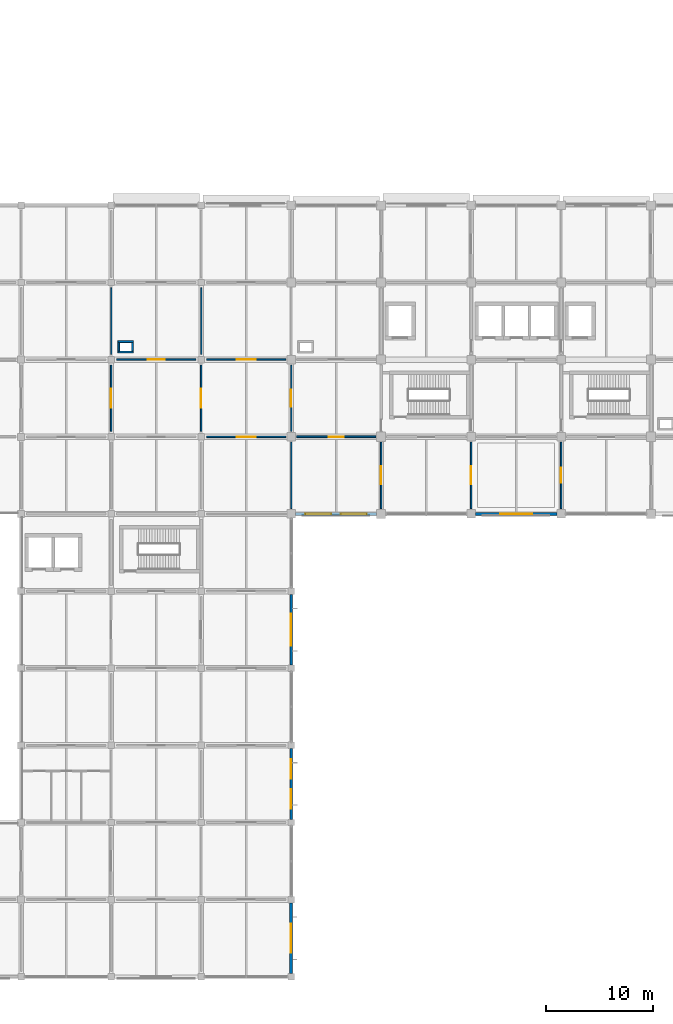
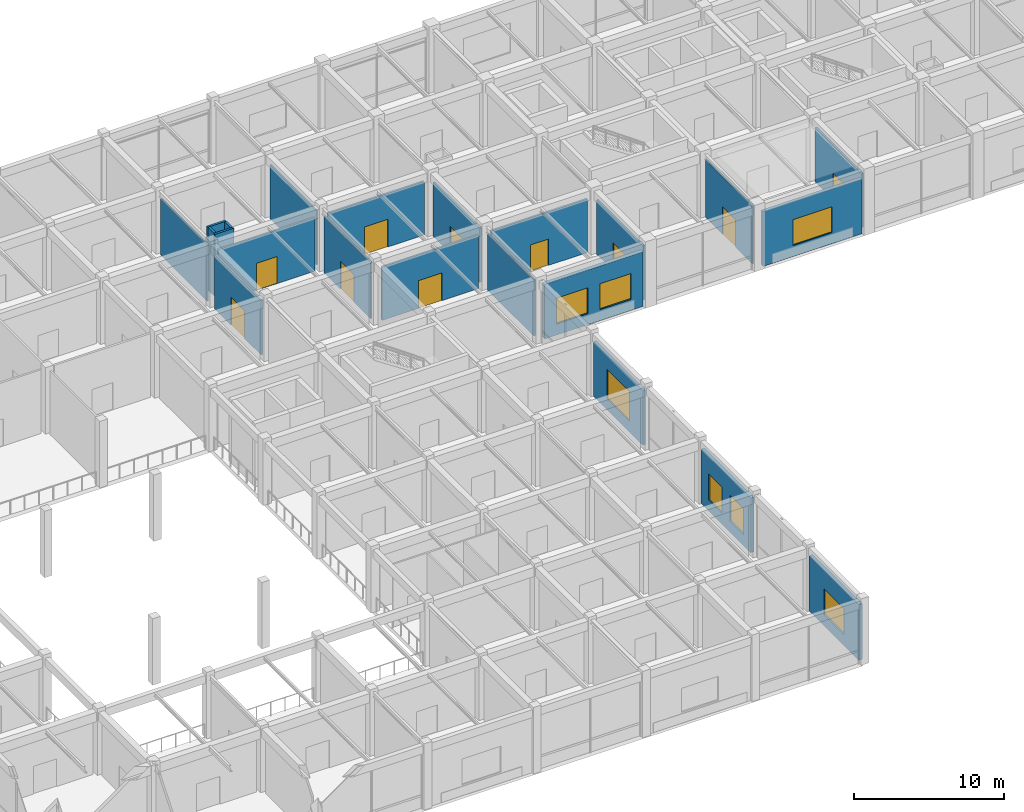
# One storey, part 23 of 38: 22 walls, 10 doors, 7 windows, 17 openings.
"""IFC4 building model written with IfcOpenShell, lengths in metres."""

from ifc_helpers import new_model, si_unit, derived_unit, direction, frame, frame_2d, origin, place, context, subcontext, project, spatial, rectangle, extrude, material, layer, layer_set, type_object, element, fill, save


model = new_model("IFC4")

# Units and contexts
model_context = context("Model", 3, precision=1e-05, world=origin(), true_north=direction((0.0, 1.0)))
body_context = subcontext(model_context, "Body", "Model", "MODEL_VIEW")
ifc_project = project(units=[si_unit("LENGTHUNIT", "METRE"), si_unit("AREAUNIT", "SQUARE_METRE"), si_unit("VOLUMEUNIT", "CUBIC_METRE"), si_unit("PLANEANGLEUNIT", "RADIAN"), si_unit("MASSUNIT", "GRAM", prefix="KILO"), derived_unit("THERMALTRANSMITTANCEUNIT", [(si_unit("MASSUNIT", "GRAM", prefix="KILO"), 1), (si_unit("TIMEUNIT", "SECOND"), -3), (si_unit("THERMODYNAMICTEMPERATUREUNIT", "KELVIN"), -1)])], contexts=[model_context])

# Site, building, storey
site_placement = place(None, origin())
site = spatial("IfcSite", under=ifc_project, at=site_placement, CompositionType="ELEMENT")
building_placement = place(site_placement, origin())
building = spatial("IfcBuilding", under=site, at=building_placement, Name="Veldstrom Oceanarium and Marine Research Institute", CompositionType="ELEMENT")
storey_placement = place(building_placement, frame((0.0, 0.0, 11.39990234375)))
storey = spatial("IfcBuildingStorey", under=building, at=storey_placement, Name="L02", CompositionType="ELEMENT", Elevation=11.39990234375)

# Wall, openings, windows
ifc_material_1 = material(Name="Masonry Cavity Wall", Category="masonry")
ifc_layer_1 = layer(ifc_material_1, 0.2900390625)
ifc_layer_set_1 = layer_set([ifc_layer_1], Name="ARC-WAL-EW2")
wall_type_1 = type_object("IfcWallType", Name="ARC-WAL-EW2", PredefinedType="SOLIDWALL", material=ifc_layer_set_1)
wall_1_placement = place(storey_placement, frame((67.60009765625, 43.199951171875, 0.0), z_axis=(0.0, 0.0, 1.0), x_axis=(1.0, 0.0, 0.0)))
wall_1 = element("IfcWall", 1, at=wall_1_placement, inside=storey, type_object=wall_type_1, Name="Exterior Facade Wall EW2 L02-132", PredefinedType="SOLIDWALL", context=body_context, shape_type="SweptSolid", body=[
    extrude(rectangle(XDim=7.574951171875, YDim=0.2900390625, at=frame_2d((3.78759765625, 0.0))), origin(), (0.0, 0.0, 1.0), 4.445068359375),
])
opening_1_placement = place(wall_1_placement, frame((0.925048828125, 0.0, 0.89990234375)))
opening_1 = element("IfcOpeningElement", 2, at=opening_1_placement, cuts=wall_1, Name="Opening W09", PredefinedType="OPENING", context=body_context, shape_type="SweptSolid", body=[
    extrude(rectangle(XDim=2.39990234375, YDim=2.10009765625, at=frame_2d((1.199951171875, 1.050048828125))), frame((0.0, 0.155029296875, 0.0), z_axis=(0.0, -1.0, 0.0), x_axis=(1.0, 0.0, 0.0)), (0.0, 0.0, 1.0), 0.31005859375),
])
opening_2_placement = place(wall_1_placement, frame((4.25, 0.0, 0.89990234375)))
opening_2 = element("IfcOpeningElement", 3, at=opening_2_placement, cuts=wall_1, Name="Opening W09", PredefinedType="OPENING", context=body_context, shape_type="SweptSolid", body=[
    extrude(rectangle(XDim=2.39990234375, YDim=2.10009765625, at=frame_2d((1.199951171875, 1.050048828125))), frame((0.0, 0.155029296875, 0.0), z_axis=(0.0, -1.0, 0.0), x_axis=(1.0, 0.0, 0.0)), (0.0, 0.0, 1.0), 0.31005859375),
])
ifc_material_2 = material(Name="Double Glazed Low-E IGU", Category="glass")
window_type_1 = type_object("IfcWindowType", Name="ARC-WIN-W09", PartitioningType="SINGLE_PANEL", PredefinedType="WINDOW", material=ifc_material_2)
window_1_placement = place(opening_1_placement, origin())
window_1 = element("IfcWindow", 4, at=window_1_placement, inside=storey, type_object=window_type_1, Name="Facade Window W09 L02-0096", OverallHeight=2.10009765625, OverallWidth=2.39990234375, PartitioningType="SINGLE_PANEL", PredefinedType="WINDOW", context=body_context, shape_type="SweptSolid", body=[
    extrude(rectangle(XDim=2.39990234375, YDim=2.10009765625, at=frame_2d((1.199951171875, 1.050048828125))), frame((0.0, 0.030029296875, 0.0), z_axis=(0.0, -1.0, 0.0), x_axis=(1.0, 0.0, 0.0)), (0.0, 0.0, 1.0), 0.06005859375),
])
fill(opening_1, window_1)
window_2_placement = place(opening_2_placement, origin())
window_2 = element("IfcWindow", 5, at=window_2_placement, inside=storey, type_object=window_type_1, Name="Facade Window W09 L02-0097", OverallHeight=2.10009765625, OverallWidth=2.39990234375, PartitioningType="SINGLE_PANEL", PredefinedType="WINDOW", context=body_context, shape_type="SweptSolid", body=[
    extrude(rectangle(XDim=2.39990234375, YDim=2.10009765625, at=frame_2d((1.199951171875, 1.050048828125))), frame((0.0, 0.030029296875, 0.0), z_axis=(0.0, -1.0, 0.0), x_axis=(1.0, 0.0, 0.0)), (0.0, 0.0, 1.0), 0.06005859375),
])
fill(opening_2, window_2)

# Wall, opening, window
ifc_material_3 = material(Name="Masonry Cavity Wall", Category="masonry")
ifc_layer_2 = layer(ifc_material_3, 0.27001953125)
ifc_layer_set_2 = layer_set([ifc_layer_2], Name="ARC-WAL-EW3")
wall_type_2 = type_object("IfcWallType", Name="ARC-WAL-EW3", PredefinedType="SOLIDWALL", material=ifc_layer_set_2)
wall_2_placement = place(storey_placement, frame((67.199951171875, 0.300048828125, 0.0), z_axis=(0.0, 0.0, 1.0), x_axis=(0.0, 1.0, 0.0)))
wall_2 = element("IfcWall", 6, at=wall_2_placement, inside=storey, type_object=wall_type_2, Name="Exterior Facade Wall EW3 L02-128", PredefinedType="SOLIDWALL", context=body_context, shape_type="SweptSolid", body=[
    extrude(rectangle(XDim=6.599853515625, YDim=0.27001953125, at=frame_2d((3.2998046875, 0.0))), origin(), (0.0, 0.0, 1.0), 4.52001953125),
])
opening_3_placement = place(wall_2_placement, frame((1.949951171875, 0.0, 0.89990234375)))
opening_3 = element("IfcOpeningElement", 7, at=opening_3_placement, cuts=wall_2, Name="Opening W08", PredefinedType="OPENING", context=body_context, shape_type="SweptSolid", body=[
    extrude(rectangle(XDim=2.699951171875, YDim=2.10009765625, at=frame_2d((1.35009765625, 1.050048828125))), frame((0.0, 0.14501953125, 0.0), z_axis=(0.0, -1.0, 0.0), x_axis=(1.0, 0.0, 0.0)), (0.0, 0.0, 1.0), 0.2900390625),
])
ifc_material_4 = material(Name="Double Glazed Low-E IGU", Category="glass")
window_type_2 = type_object("IfcWindowType", Name="ARC-WIN-W08", PartitioningType="SINGLE_PANEL", PredefinedType="WINDOW", material=ifc_material_4)
window_3_placement = place(opening_3_placement, origin())
window_3 = element("IfcWindow", 8, at=window_3_placement, inside=storey, type_object=window_type_2, Name="Facade Window W08 L02-0091", OverallHeight=2.10009765625, OverallWidth=2.699951171875, PartitioningType="SINGLE_PANEL", PredefinedType="WINDOW", context=body_context, shape_type="SweptSolid", body=[
    extrude(rectangle(XDim=2.699951171875, YDim=2.10009765625, at=frame_2d((1.35009765625, 1.050048828125))), frame((0.0, 0.030029296875, 0.0), z_axis=(0.0, -1.0, 0.0), x_axis=(1.0, 0.0, 0.0)), (0.0, 0.0, 1.0), 0.06005859375),
])
fill(opening_3, window_3)

# Wall, openings, windows
ifc_material_5 = material(Name="Masonry Cavity Wall", Category="masonry")
ifc_layer_3 = layer(ifc_material_5, 0.25)
ifc_layer_set_3 = layer_set([ifc_layer_3], Name="ARC-WAL-EW5")
wall_type_3 = type_object("IfcWallType", Name="ARC-WAL-EW5", PredefinedType="SOLIDWALL", material=ifc_layer_set_3)
wall_3_placement = place(storey_placement, frame((67.199951171875, 14.699951171875, 0.0), z_axis=(0.0, 0.0, 1.0), x_axis=(0.0, 1.0, 0.0)))
wall_3 = element("IfcWall", 9, at=wall_3_placement, inside=storey, type_object=wall_type_3, Name="Exterior Facade Wall EW5 L02-129", PredefinedType="SOLIDWALL", context=body_context, shape_type="SweptSolid", body=[
    extrude(rectangle(XDim=6.60009765625, YDim=0.25, at=frame_2d((3.300048828125, 0.0))), origin(), (0.0, 0.0, 1.0), 4.445068359375),
])
opening_4_placement = place(wall_3_placement, frame((1.0, 0.0, 0.89990234375)))
opening_4 = element("IfcOpeningElement", 10, at=opening_4_placement, cuts=wall_3, Name="Opening W10", PredefinedType="OPENING", context=body_context, shape_type="SweptSolid", body=[
    extrude(rectangle(XDim=1.800048828125, YDim=2.10009765625, at=frame_2d((0.89990234375, 1.050048828125))), frame((0.0, 0.135009765625, 0.0), z_axis=(0.0, -1.0, 0.0), x_axis=(1.0, 0.0, 0.0)), (0.0, 0.0, 1.0), 0.27001953125),
])
opening_5_placement = place(wall_3_placement, frame((3.800048828125, 0.0, 0.89990234375)))
opening_5 = element("IfcOpeningElement", 11, at=opening_5_placement, cuts=wall_3, Name="Opening W10", PredefinedType="OPENING", context=body_context, shape_type="SweptSolid", body=[
    extrude(rectangle(XDim=1.800048828125, YDim=2.10009765625, at=frame_2d((0.89990234375, 1.050048828125))), frame((0.0, 0.135009765625, 0.0), z_axis=(0.0, -1.0, 0.0), x_axis=(1.0, 0.0, 0.0)), (0.0, 0.0, 1.0), 0.27001953125),
])
ifc_material_6 = material(Name="Double Glazed Low-E IGU", Category="glass")
window_type_3 = type_object("IfcWindowType", Name="ARC-WIN-W10", PartitioningType="SINGLE_PANEL", PredefinedType="WINDOW", material=ifc_material_6)
window_4_placement = place(opening_4_placement, origin())
window_4 = element("IfcWindow", 12, at=window_4_placement, inside=storey, type_object=window_type_3, Name="Facade Window W10 L02-0092", OverallHeight=2.10009765625, OverallWidth=1.800048828125, PartitioningType="SINGLE_PANEL", PredefinedType="WINDOW", context=body_context, shape_type="SweptSolid", body=[
    extrude(rectangle(XDim=1.800048828125, YDim=2.10009765625, at=frame_2d((0.89990234375, 1.050048828125))), frame((0.0, 0.030029296875, 0.0), z_axis=(0.0, -1.0, 0.0), x_axis=(1.0, 0.0, 0.0)), (0.0, 0.0, 1.0), 0.06005859375),
])
fill(opening_4, window_4)
window_5_placement = place(opening_5_placement, origin())
window_5 = element("IfcWindow", 13, at=window_5_placement, inside=storey, type_object=window_type_3, Name="Facade Window W10 L02-0093", OverallHeight=2.10009765625, OverallWidth=1.800048828125, PartitioningType="SINGLE_PANEL", PredefinedType="WINDOW", context=body_context, shape_type="SweptSolid", body=[
    extrude(rectangle(XDim=1.800048828125, YDim=2.10009765625, at=frame_2d((0.89990234375, 1.050048828125))), frame((0.0, 0.030029296875, 0.0), z_axis=(0.0, -1.0, 0.0), x_axis=(1.0, 0.0, 0.0)), (0.0, 0.0, 1.0), 0.06005859375),
])
fill(opening_5, window_5)

# Wall, opening, window
wall_4_placement = place(storey_placement, frame((84.39990234375, 43.199951171875, 0.0), z_axis=(0.0, 0.0, 1.0), x_axis=(1.0, 0.0, 0.0)))
wall_4 = element("IfcWall", 14, at=wall_4_placement, inside=storey, type_object=wall_type_3, Name="Exterior Facade Wall EW5 L02-134", PredefinedType="SOLIDWALL", context=body_context, shape_type="SweptSolid", body=[
    extrude(rectangle(XDim=7.60009765625, YDim=0.25, at=frame_2d((3.800048828125, 0.0))), origin(), (0.0, 0.0, 1.0), 4.445068359375),
])
opening_6_placement = place(wall_4_placement, frame((2.300048828125, 0.0, 0.89990234375)))
opening_6 = element("IfcOpeningElement", 15, at=opening_6_placement, cuts=wall_4, Name="Opening W07", PredefinedType="OPENING", context=body_context, shape_type="SweptSolid", body=[
    extrude(rectangle(XDim=3.0, YDim=2.10009765625, at=frame_2d((1.5, 1.050048828125))), frame((0.0, 0.135009765625, 0.0), z_axis=(0.0, -1.0, 0.0), x_axis=(1.0, 0.0, 0.0)), (0.0, 0.0, 1.0), 0.27001953125),
])
ifc_material_7 = material(Name="Double Glazed Low-E IGU", Category="glass")
window_type_4 = type_object("IfcWindowType", Name="ARC-WIN-W07", PartitioningType="SINGLE_PANEL", PredefinedType="WINDOW", material=ifc_material_7)
window_6_placement = place(opening_6_placement, origin())
window_6 = element("IfcWindow", 16, at=window_6_placement, inside=storey, type_object=window_type_4, Name="Facade Window W07 L02-0099", OverallHeight=2.10009765625, OverallWidth=3.0, PartitioningType="SINGLE_PANEL", PredefinedType="WINDOW", context=body_context, shape_type="SweptSolid", body=[
    extrude(rectangle(XDim=3.0, YDim=2.10009765625, at=frame_2d((1.5, 1.050048828125))), frame((0.0, 0.030029296875, 0.0), z_axis=(0.0, -1.0, 0.0), x_axis=(1.0, 0.0, 0.0)), (0.0, 0.0, 1.0), 0.06005859375),
])
fill(opening_6, window_6)

ifc_material_8 = material(Name="Masonry Cavity Wall", Category="masonry")
ifc_layer_4 = layer(ifc_material_8, 0.215087890625)
ifc_layer_set_4 = layer_set([ifc_layer_4], Name="ARC-WAL-EW6")
wall_type_4 = type_object("IfcWallType", Name="ARC-WAL-EW6", PredefinedType="SOLIDWALL", material=ifc_layer_set_4)
wall_5_placement = place(storey_placement, frame((67.199951171875, 29.10009765625, 0.0), z_axis=(0.0, 0.0, 1.0), x_axis=(0.0, 1.0, 0.0)))
wall_5 = element("IfcWall", 17, at=wall_5_placement, inside=storey, type_object=wall_type_4, Name="Exterior Facade Wall EW6 L02-130", PredefinedType="SOLIDWALL", context=body_context, shape_type="SweptSolid", body=[
    extrude(rectangle(XDim=6.599853515625, YDim=0.215087890625, at=frame_2d((3.2998046875, 0.0))), origin(), (0.0, 0.0, 1.0), 4.445068359375),
])
opening_7_placement = place(wall_5_placement, frame((1.800048828125, 0.0, 0.89990234375)))
opening_7 = element("IfcOpeningElement", 18, at=opening_7_placement, cuts=wall_5, Name="Opening W12", PredefinedType="OPENING", context=body_context, shape_type="SweptSolid", body=[
    extrude(rectangle(XDim=3.0, YDim=2.39990234375, at=frame_2d((1.5, 1.199951171875))), frame((0.0, 0.117431640625, 0.0), z_axis=(0.0, -1.0, 0.0), x_axis=(1.0, 0.0, 0.0)), (0.0, 0.0, 1.0), 0.235107421875),
])
ifc_material_9 = material(Name="Double Glazed Low-E IGU", Category="glass")
window_type_5 = type_object("IfcWindowType", Name="ARC-WIN-W12", PartitioningType="SINGLE_PANEL", PredefinedType="WINDOW", material=ifc_material_9)
window_7_placement = place(opening_7_placement, origin())
window_7 = element("IfcWindow", 19, at=window_7_placement, inside=storey, type_object=window_type_5, Name="Facade Window W12 L02-0094", OverallHeight=2.39990234375, OverallWidth=3.0, PartitioningType="SINGLE_PANEL", PredefinedType="WINDOW", context=body_context, shape_type="SweptSolid", body=[
    extrude(rectangle(XDim=3.0, YDim=2.39990234375, at=frame_2d((1.5, 1.199951171875))), frame((0.0, 0.030029296875, 0.0), z_axis=(0.0, -1.0, 0.0), x_axis=(1.0, 0.0, 0.0)), (0.0, 0.0, 1.0), 0.06005859375),
])
fill(opening_7, window_7)

# Wall, opening, door
ifc_material_10 = material(Name="Drywall Corridor Partition", Category="gypsum")
ifc_layer_5 = layer(ifc_material_10, 0.155029296875)
ifc_layer_set_5 = layer_set([ifc_layer_5], Name="ARC-WAL-PT4")
wall_type_5 = type_object("IfcWallType", Name="ARC-WAL-PT4", PredefinedType="PARTITIONING", material=ifc_layer_set_5)
wall_6_placement = place(storey_placement, frame((50.39990234375, 50.89990234375, 0.0), z_axis=(0.0, 0.0, 1.0), x_axis=(0.0, 1.0, 0.0)))
wall_6 = element("IfcWall", 20, at=wall_6_placement, inside=storey, type_object=wall_type_5, Name="Interior Partition PT4 L02-1121", PredefinedType="PARTITIONING", context=body_context, shape_type="SweptSolid", body=[
    extrude(rectangle(XDim=6.2001953125, YDim=0.155029296875, at=frame_2d((3.10009765625, 0.0))), origin(), (0.0, 0.0, 1.0), 4.39501953125),
])
opening_8_placement = place(wall_6_placement, frame((2.199951171875, 0.0, 0.0)))
opening_8 = element("IfcOpeningElement", 21, at=opening_8_placement, cuts=wall_6, Name="Opening D-L02-652", PredefinedType="OPENING", context=body_context, shape_type="SweptSolid", body=[
    extrude(rectangle(XDim=1.800048828125, YDim=2.25, at=frame_2d((0.89990234375, 1.125))), frame((0.0, 0.08740234375, 0.0), z_axis=(0.0, -1.0, 0.0), x_axis=(1.0, 0.0, 0.0)), (0.0, 0.0, 1.0), 0.175048828125),
])
ifc_material_11 = material(Name="Acoustic Timber Gallery Door", Category="wood")
door_type_1 = type_object("IfcDoorType", Name="ARC-DOR-ID01", OperationType="DOUBLE_DOOR_SINGLE_SWING", PredefinedType="DOOR", material=ifc_material_11)
door_1_placement = place(opening_8_placement, frame((1.800048828125, 0.0, 0.0), z_axis=(0.0, 0.0, 1.0), x_axis=(-1.0, 0.0, 0.0)))
door_1 = element("IfcDoor", 22, at=door_1_placement, inside=storey, type_object=door_type_1, Name="Interior Door D-L02-652", OperationType="DOUBLE_DOOR_SINGLE_SWING", OverallHeight=2.25, OverallWidth=1.800048828125, PredefinedType="DOOR", context=body_context, shape_type="SweptSolid", body=[
    extrude(rectangle(XDim=1.800048828125, YDim=2.25, at=frame_2d((0.89990234375, 1.125))), frame((0.0, 0.02490234375, 0.0), z_axis=(0.0, -1.0, 0.0), x_axis=(1.0, 0.0, 0.0)), (0.0, 0.0, 1.0), 0.050048828125),
])
fill(opening_8, door_1)

wall_7_placement = place(storey_placement, frame((67.199951171875, 50.89990234375, 0.0), z_axis=(0.0, 0.0, 1.0), x_axis=(0.0, 1.0, 0.0)))
wall_7 = element("IfcWall", 23, at=wall_7_placement, inside=storey, type_object=wall_type_5, Name="Interior Partition PT4 L02-1153", PredefinedType="PARTITIONING", context=body_context, shape_type="SweptSolid", body=[
    extrude(rectangle(XDim=6.2001953125, YDim=0.155029296875, at=frame_2d((3.10009765625, 0.0))), origin(), (0.0, 0.0, 1.0), 4.39501953125),
])
opening_9_placement = place(wall_7_placement, frame((2.300048828125, 0.0, 0.0)))
opening_9 = element("IfcOpeningElement", 24, at=opening_9_placement, cuts=wall_7, Name="Opening D-L02-671", PredefinedType="OPENING", context=body_context, shape_type="SweptSolid", body=[
    extrude(rectangle(XDim=1.60009765625, YDim=2.199951171875, at=frame_2d((0.800048828125, 1.10009765625))), frame((0.0, 0.08740234375, 0.0), z_axis=(0.0, -1.0, 0.0), x_axis=(1.0, 0.0, 0.0)), (0.0, 0.0, 1.0), 0.175048828125),
])
ifc_material_12 = material(Name="Acoustic Timber Corridor Door", Category="wood")
door_type_2 = type_object("IfcDoorType", Name="ARC-DOR-ID02", OperationType="DOUBLE_DOOR_SINGLE_SWING", PredefinedType="DOOR", material=ifc_material_12)
door_2_placement = place(opening_9_placement, frame((1.60009765625, 0.0, 0.0), z_axis=(0.0, 0.0, 1.0), x_axis=(-1.0, 0.0, 0.0)))
door_2 = element("IfcDoor", 25, at=door_2_placement, inside=storey, type_object=door_type_2, Name="Interior Door D-L02-671", OperationType="DOUBLE_DOOR_SINGLE_SWING", OverallHeight=2.199951171875, OverallWidth=1.60009765625, PredefinedType="DOOR", context=body_context, shape_type="SweptSolid", body=[
    extrude(rectangle(XDim=1.60009765625, YDim=2.199951171875, at=frame_2d((0.800048828125, 1.10009765625))), frame((0.0, 0.02490234375, 0.0), z_axis=(0.0, -1.0, 0.0), x_axis=(1.0, 0.0, 0.0)), (0.0, 0.0, 1.0), 0.050048828125),
])
fill(opening_9, door_2)

wall_8_placement = place(storey_placement, frame((59.300048828125, 57.60009765625, 0.0), z_axis=(0.0, 0.0, 1.0), x_axis=(1.0, 0.0, 0.0)))
wall_8 = element("IfcWall", 26, at=wall_8_placement, inside=storey, type_object=wall_type_5, Name="Interior Partition PT4 L02-1154", PredefinedType="PARTITIONING", context=body_context, shape_type="SweptSolid", body=[
    extrude(rectangle(XDim=7.39990234375, YDim=0.155029296875, at=frame_2d((3.699951171875, 0.0))), origin(), (0.0, 0.0, 1.0), 4.34521484375),
])
opening_10_placement = place(wall_8_placement, frame((2.800048828125, 0.0, 0.0)))
opening_10 = element("IfcOpeningElement", 27, at=opening_10_placement, cuts=wall_8, Name="Opening D-L02-672", PredefinedType="OPENING", context=body_context, shape_type="SweptSolid", body=[
    extrude(rectangle(XDim=1.800048828125, YDim=2.25, at=frame_2d((0.89990234375, 1.125))), frame((0.0, 0.08740234375, 0.0), z_axis=(0.0, -1.0, 0.0), x_axis=(1.0, 0.0, 0.0)), (0.0, 0.0, 1.0), 0.175048828125),
])
door_3_placement = place(opening_10_placement, origin())
door_3 = element("IfcDoor", 28, at=door_3_placement, inside=storey, type_object=door_type_1, Name="Interior Door D-L02-672", OperationType="DOUBLE_DOOR_SINGLE_SWING", OverallHeight=2.25, OverallWidth=1.800048828125, PredefinedType="DOOR", context=body_context, shape_type="SweptSolid", body=[
    extrude(rectangle(XDim=1.800048828125, YDim=2.25, at=frame_2d((0.89990234375, 1.125))), frame((0.0, 0.02490234375, 0.0), z_axis=(0.0, -1.0, 0.0), x_axis=(1.0, 0.0, 0.0)), (0.0, 0.0, 1.0), 0.050048828125),
])
fill(opening_10, door_3)

wall_9_placement = place(storey_placement, frame((75.60009765625, 43.699951171875, 0.0), z_axis=(0.0, 0.0, 1.0), x_axis=(0.0, 1.0, 0.0)))
wall_9 = element("IfcWall", 29, at=wall_9_placement, inside=storey, type_object=wall_type_5, Name="Interior Partition PT4 L02-1158", PredefinedType="PARTITIONING", context=body_context, shape_type="SweptSolid", body=[
    extrude(rectangle(XDim=6.199951171875, YDim=0.155029296875, at=frame_2d((3.10009765625, 0.0))), origin(), (0.0, 0.0, 1.0), 4.39501953125),
])
opening_11_placement = place(wall_9_placement, frame((2.25, 0.0, 0.0)))
opening_11 = element("IfcOpeningElement", 30, at=opening_11_placement, cuts=wall_9, Name="Opening D-L02-674", PredefinedType="OPENING", context=body_context, shape_type="SweptSolid", body=[
    extrude(rectangle(XDim=1.699951171875, YDim=2.25, at=frame_2d((0.85009765625, 1.125))), frame((0.0, 0.08740234375, 0.0), z_axis=(0.0, -1.0, 0.0), x_axis=(1.0, 0.0, 0.0)), (0.0, 0.0, 1.0), 0.175048828125),
])
ifc_material_13 = material(Name="Symposium Auditorium Door", Category="timber")
door_type_3 = type_object("IfcDoorType", Name="ARC-DOR-ID13", OperationType="DOUBLE_DOOR_SINGLE_SWING", PredefinedType="DOOR", material=ifc_material_13)
door_4_placement = place(opening_11_placement, frame((1.699951171875, 0.0, 0.0), z_axis=(0.0, 0.0, 1.0), x_axis=(-1.0, 0.0, 0.0)))
door_4 = element("IfcDoor", 31, at=door_4_placement, inside=storey, type_object=door_type_3, Name="Interior Door D-L02-674", OperationType="DOUBLE_DOOR_SINGLE_SWING", OverallHeight=2.25, OverallWidth=1.699951171875, PredefinedType="DOOR", context=body_context, shape_type="SweptSolid", body=[
    extrude(rectangle(XDim=1.699951171875, YDim=2.25, at=frame_2d((0.85009765625, 1.125))), frame((0.0, 0.02490234375, 0.0), z_axis=(0.0, -1.0, 0.0), x_axis=(1.0, 0.0, 0.0)), (0.0, 0.0, 1.0), 0.050048828125),
])
fill(opening_11, door_4)

wall_10_placement = place(storey_placement, frame((67.699951171875, 50.39990234375, 0.0), z_axis=(0.0, 0.0, 1.0), x_axis=(1.0, 0.0, 0.0)))
wall_10 = element("IfcWall", 32, at=wall_10_placement, inside=storey, type_object=wall_type_5, Name="Interior Partition PT4 L02-1159", PredefinedType="PARTITIONING", context=body_context, shape_type="SweptSolid", body=[
    extrude(rectangle(XDim=7.400146484375, YDim=0.155029296875, at=frame_2d((3.7001953125, 0.0))), origin(), (0.0, 0.0, 1.0), 4.34521484375),
])
opening_12_placement = place(wall_10_placement, frame((3.0, 0.0, 0.0)))
opening_12 = element("IfcOpeningElement", 33, at=opening_12_placement, cuts=wall_10, Name="Opening D-L02-675", PredefinedType="OPENING", context=body_context, shape_type="SweptSolid", body=[
    extrude(rectangle(XDim=1.39990234375, YDim=2.14990234375, at=frame_2d((0.699951171875, 1.074951171875))), frame((0.0, 0.08740234375, 0.0), z_axis=(0.0, -1.0, 0.0), x_axis=(1.0, 0.0, 0.0)), (0.0, 0.0, 1.0), 0.175048828125),
])
ifc_material_14 = material(Name="Education Classroom Door", Category="timber")
door_type_4 = type_object("IfcDoorType", Name="ARC-DOR-ID04", OperationType="DOUBLE_DOOR_SINGLE_SWING", PredefinedType="DOOR", material=ifc_material_14)
door_5_placement = place(opening_12_placement, origin())
door_5 = element("IfcDoor", 34, at=door_5_placement, inside=storey, type_object=door_type_4, Name="Interior Door D-L02-675", OperationType="DOUBLE_DOOR_SINGLE_SWING", OverallHeight=2.14990234375, OverallWidth=1.39990234375, PredefinedType="DOOR", context=body_context, shape_type="SweptSolid", body=[
    extrude(rectangle(XDim=1.39990234375, YDim=2.14990234375, at=frame_2d((0.699951171875, 1.074951171875))), frame((0.0, 0.02490234375, 0.0), z_axis=(0.0, -1.0, 0.0), x_axis=(1.0, 0.0, 0.0)), (0.0, 0.0, 1.0), 0.050048828125),
])
fill(opening_12, door_5)

wall_11_placement = place(storey_placement, frame((92.39990234375, 43.699951171875, 0.0), z_axis=(0.0, 0.0, 1.0), x_axis=(0.0, 1.0, 0.0)))
wall_11 = element("IfcWall", 35, at=wall_11_placement, inside=storey, type_object=wall_type_5, Name="Interior Partition PT4 L02-1172", PredefinedType="PARTITIONING", context=body_context, shape_type="SweptSolid", body=[
    extrude(rectangle(XDim=6.199951171875, YDim=0.155029296875, at=frame_2d((3.10009765625, 0.0))), origin(), (0.0, 0.0, 1.0), 4.39501953125),
])
opening_13_placement = place(wall_11_placement, frame((2.39990234375, 0.0, 0.0)))
opening_13 = element("IfcOpeningElement", 36, at=opening_13_placement, cuts=wall_11, Name="Opening D-L02-685", PredefinedType="OPENING", context=body_context, shape_type="SweptSolid", body=[
    extrude(rectangle(XDim=1.39990234375, YDim=2.14990234375, at=frame_2d((0.699951171875, 1.074951171875))), frame((0.0, 0.08740234375, 0.0), z_axis=(0.0, -1.0, 0.0), x_axis=(1.0, 0.0, 0.0)), (0.0, 0.0, 1.0), 0.175048828125),
])
door_6_placement = place(opening_13_placement, frame((1.39990234375, 0.0, 0.0), z_axis=(0.0, 0.0, 1.0), x_axis=(-1.0, 0.0, 0.0)))
door_6 = element("IfcDoor", 37, at=door_6_placement, inside=storey, type_object=door_type_4, Name="Interior Door D-L02-685", OperationType="DOUBLE_DOOR_SINGLE_SWING", OverallHeight=2.14990234375, OverallWidth=1.39990234375, PredefinedType="DOOR", context=body_context, shape_type="SweptSolid", body=[
    extrude(rectangle(XDim=1.39990234375, YDim=2.14990234375, at=frame_2d((0.699951171875, 1.074951171875))), frame((0.0, 0.02490234375, 0.0), z_axis=(0.0, -1.0, 0.0), x_axis=(1.0, 0.0, 0.0)), (0.0, 0.0, 1.0), 0.050048828125),
])
fill(opening_13, door_6)

ifc_material_15 = material(Name="Moisture-Resistant Wet-Area Partition", Category="masonry")
ifc_layer_6 = layer(ifc_material_15, 0.139892578125)
ifc_layer_set_6 = layer_set([ifc_layer_6], Name="ARC-WAL-PT5")
wall_type_6 = type_object("IfcWallType", Name="ARC-WAL-PT5", PredefinedType="PARTITIONING", material=ifc_layer_set_6)
wall_12_placement = place(storey_placement, frame((58.800048828125, 50.89990234375, 0.0), z_axis=(0.0, 0.0, 1.0), x_axis=(0.0, 1.0, 0.0)))
wall_12 = element("IfcWall", 38, at=wall_12_placement, inside=storey, type_object=wall_type_6, Name="Interior Partition PT5 L02-1140", PredefinedType="PARTITIONING", context=body_context, shape_type="SweptSolid", body=[
    extrude(rectangle(XDim=6.2001953125, YDim=0.139892578125, at=frame_2d((3.10009765625, 0.0))), origin(), (0.0, 0.0, 1.0), 4.59521484375),
])
opening_14_placement = place(wall_12_placement, frame((2.199951171875, 0.0, 0.0)))
opening_14 = element("IfcOpeningElement", 39, at=opening_14_placement, cuts=wall_12, Name="Opening D-L02-662", PredefinedType="OPENING", context=body_context, shape_type="SweptSolid", body=[
    extrude(rectangle(XDim=1.800048828125, YDim=2.25, at=frame_2d((0.89990234375, 1.125))), frame((0.0, 0.079833984375, 0.0), z_axis=(0.0, -1.0, 0.0), x_axis=(1.0, 0.0, 0.0)), (0.0, 0.0, 1.0), 0.159912109375),
])
door_7_placement = place(opening_14_placement, origin())
door_7 = element("IfcDoor", 40, at=door_7_placement, inside=storey, type_object=door_type_1, Name="Interior Door D-L02-662", OperationType="DOUBLE_DOOR_SINGLE_SWING", OverallHeight=2.25, OverallWidth=1.800048828125, PredefinedType="DOOR", context=body_context, shape_type="SweptSolid", body=[
    extrude(rectangle(XDim=1.800048828125, YDim=2.25, at=frame_2d((0.89990234375, 1.125))), frame((0.0, 0.02490234375, 0.0), z_axis=(0.0, -1.0, 0.0), x_axis=(1.0, 0.0, 0.0)), (0.0, 0.0, 1.0), 0.050048828125),
])
fill(opening_14, door_7)

wall_13_placement = place(storey_placement, frame((50.89990234375, 57.60009765625, 0.0), z_axis=(0.0, 0.0, 1.0), x_axis=(1.0, 0.0, 0.0)))
wall_13 = element("IfcWall", 41, at=wall_13_placement, inside=storey, type_object=wall_type_6, Name="Interior Partition PT5 L02-1141", PredefinedType="PARTITIONING", context=body_context, shape_type="SweptSolid", body=[
    extrude(rectangle(XDim=7.400146484375, YDim=0.139892578125, at=frame_2d((3.7001953125, 0.0))), origin(), (0.0, 0.0, 1.0), 4.34521484375),
])
opening_15_placement = place(wall_13_placement, frame((2.89990234375, 0.0, 0.0)))
opening_15 = element("IfcOpeningElement", 42, at=opening_15_placement, cuts=wall_13, Name="Opening D-L02-663", PredefinedType="OPENING", context=body_context, shape_type="SweptSolid", body=[
    extrude(rectangle(XDim=1.60009765625, YDim=2.199951171875, at=frame_2d((0.800048828125, 1.10009765625))), frame((0.0, 0.079833984375, 0.0), z_axis=(0.0, -1.0, 0.0), x_axis=(1.0, 0.0, 0.0)), (0.0, 0.0, 1.0), 0.159912109375),
])
door_8_placement = place(opening_15_placement, frame((1.60009765625, 0.0, 0.0), z_axis=(0.0, 0.0, 1.0), x_axis=(-1.0, 0.0, 0.0)))
door_8 = element("IfcDoor", 43, at=door_8_placement, inside=storey, type_object=door_type_2, Name="Interior Door D-L02-663", OperationType="DOUBLE_DOOR_SINGLE_SWING", OverallHeight=2.199951171875, OverallWidth=1.60009765625, PredefinedType="DOOR", context=body_context, shape_type="SweptSolid", body=[
    extrude(rectangle(XDim=1.60009765625, YDim=2.199951171875, at=frame_2d((0.800048828125, 1.10009765625))), frame((0.0, 0.02490234375, 0.0), z_axis=(0.0, -1.0, 0.0), x_axis=(1.0, 0.0, 0.0)), (0.0, 0.0, 1.0), 0.050048828125),
])
fill(opening_15, door_8)

wall_14_placement = place(storey_placement, frame((59.300048828125, 50.39990234375, 0.0), z_axis=(0.0, 0.0, 1.0), x_axis=(1.0, 0.0, 0.0)))
wall_14 = element("IfcWall", 44, at=wall_14_placement, inside=storey, type_object=wall_type_6, Name="Interior Partition PT5 L02-1152", PredefinedType="PARTITIONING", context=body_context, shape_type="SweptSolid", body=[
    extrude(rectangle(XDim=7.39990234375, YDim=0.139892578125, at=frame_2d((3.699951171875, 0.0))), origin(), (0.0, 0.0, 1.0), 4.34521484375),
])
opening_16_placement = place(wall_14_placement, frame((2.800048828125, 0.0, 0.0)))
opening_16 = element("IfcOpeningElement", 45, at=opening_16_placement, cuts=wall_14, Name="Opening D-L02-670", PredefinedType="OPENING", context=body_context, shape_type="SweptSolid", body=[
    extrude(rectangle(XDim=1.800048828125, YDim=2.25, at=frame_2d((0.89990234375, 1.125))), frame((0.0, 0.079833984375, 0.0), z_axis=(0.0, -1.0, 0.0), x_axis=(1.0, 0.0, 0.0)), (0.0, 0.0, 1.0), 0.159912109375),
])
door_9_placement = place(opening_16_placement, frame((1.800048828125, 0.0, 0.0), z_axis=(0.0, 0.0, 1.0), x_axis=(-1.0, 0.0, 0.0)))
door_9 = element("IfcDoor", 46, at=door_9_placement, inside=storey, type_object=door_type_1, Name="Interior Door D-L02-670", OperationType="DOUBLE_DOOR_SINGLE_SWING", OverallHeight=2.25, OverallWidth=1.800048828125, PredefinedType="DOOR", context=body_context, shape_type="SweptSolid", body=[
    extrude(rectangle(XDim=1.800048828125, YDim=2.25, at=frame_2d((0.89990234375, 1.125))), frame((0.0, 0.02490234375, 0.0), z_axis=(0.0, -1.0, 0.0), x_axis=(1.0, 0.0, 0.0)), (0.0, 0.0, 1.0), 0.050048828125),
])
fill(opening_16, door_9)

wall_15_placement = place(storey_placement, frame((84.0, 43.699951171875, 0.0), z_axis=(0.0, 0.0, 1.0), x_axis=(0.0, 1.0, 0.0)))
wall_15 = element("IfcWall", 47, at=wall_15_placement, inside=storey, type_object=wall_type_6, Name="Interior Partition PT5 L02-1165", PredefinedType="PARTITIONING", context=body_context, shape_type="SweptSolid", body=[
    extrude(rectangle(XDim=6.199951171875, YDim=0.139892578125, at=frame_2d((3.10009765625, 0.0))), origin(), (0.0, 0.0, 1.0), 4.695068359375),
])
opening_17_placement = place(wall_15_placement, frame((2.25, 0.0, 0.0)))
opening_17 = element("IfcOpeningElement", 48, at=opening_17_placement, cuts=wall_15, Name="Opening D-L02-680", PredefinedType="OPENING", context=body_context, shape_type="SweptSolid", body=[
    extrude(rectangle(XDim=1.699951171875, YDim=2.25, at=frame_2d((0.85009765625, 1.125))), frame((0.0, 0.079833984375, 0.0), z_axis=(0.0, -1.0, 0.0), x_axis=(1.0, 0.0, 0.0)), (0.0, 0.0, 1.0), 0.159912109375),
])
door_10_placement = place(opening_17_placement, origin())
door_10 = element("IfcDoor", 49, at=door_10_placement, inside=storey, type_object=door_type_3, Name="Interior Door D-L02-680", OperationType="DOUBLE_DOOR_SINGLE_SWING", OverallHeight=2.25, OverallWidth=1.699951171875, PredefinedType="DOOR", context=body_context, shape_type="SweptSolid", body=[
    extrude(rectangle(XDim=1.699951171875, YDim=2.25, at=frame_2d((0.85009765625, 1.125))), frame((0.0, 0.02490234375, 0.0), z_axis=(0.0, -1.0, 0.0), x_axis=(1.0, 0.0, 0.0)), (0.0, 0.0, 1.0), 0.050048828125),
])
fill(opening_17, door_10)

# Walls
ifc_material_16 = material(Name="Lightweight Studio Partition", Category="gypsum")
ifc_layer_7 = layer(ifc_material_16, 0.1201171875)
ifc_layer_set_7 = layer_set([ifc_layer_7], Name="ARC-WAL-PT6")
wall_type_7 = type_object("IfcWallType", Name="ARC-WAL-PT6", PredefinedType="PARTITIONING", material=ifc_layer_set_7)
wall_16_placement = place(storey_placement, frame((50.39990234375, 58.10009765625, 0.0), z_axis=(0.0, 0.0, 1.0), x_axis=(0.0, 1.0, 0.0)))
element("IfcWall", 50, at=wall_16_placement, inside=storey, type_object=wall_type_7, Name="Interior Partition PT6 L02-1123", PredefinedType="PARTITIONING", context=body_context, shape_type="SweptSolid", body=[
    extrude(rectangle(XDim=6.199951171875, YDim=0.1201171875, at=frame_2d((3.10009765625, 0.0))), origin(), (0.0, 0.0, 1.0), 4.59521484375),
])
wall_17_placement = place(storey_placement, frame((58.800048828125, 58.10009765625, 0.0), z_axis=(0.0, 0.0, 1.0), x_axis=(0.0, 1.0, 0.0)))
element("IfcWall", 51, at=wall_17_placement, inside=storey, type_object=wall_type_7, Name="Interior Partition PT6 L02-1142", PredefinedType="PARTITIONING", context=body_context, shape_type="SweptSolid", body=[
    extrude(rectangle(XDim=6.199951171875, YDim=0.1201171875, at=frame_2d((3.10009765625, 0.0))), origin(), (0.0, 0.0, 1.0), 4.39501953125),
])
wall_18_placement = place(storey_placement, frame((67.199951171875, 43.699951171875, 0.0), z_axis=(0.0, 0.0, 1.0), x_axis=(0.0, 1.0, 0.0)))
element("IfcWall", 52, at=wall_18_placement, inside=storey, type_object=wall_type_7, Name="Interior Partition PT6 L02-1151", PredefinedType="PARTITIONING", context=body_context, shape_type="SweptSolid", body=[
    extrude(rectangle(XDim=6.199951171875, YDim=0.1201171875, at=frame_2d((3.10009765625, 0.0))), origin(), (0.0, 0.0, 1.0), 4.59521484375),
])
ifc_material_17 = material(Name="Service Riser Fire Shaft Wall", Category="masonry")
ifc_layer_8 = layer(ifc_material_17, 0.1650390625)
ifc_layer_set_8 = layer_set([ifc_layer_8], Name="ARC-WAL-PT9")
wall_type_8 = type_object("IfcWallType", Name="ARC-WAL-PT9", PredefinedType="PARTITIONING", material=ifc_layer_set_8)
for number, where, z_axis, x_axis, name in (
    (53, (51.034912109375, 58.3173828125, 0.0), (0.0, 0.0, 1.0), (1.0, 0.0, 0.0), "Service Riser Fire Shaft Wall L02-WN-S"),
    (54, (51.034912109375, 59.282470703125, 0.0), (0.0, 0.0, 1.0), (1.0, 0.0, 0.0), "Service Riser Fire Shaft Wall L02-WN-N"),
):
    element("IfcWall", number, at=place(storey_placement, frame(where, z_axis=z_axis, x_axis=x_axis)), inside=storey, type_object=wall_type_8, Name=name, PredefinedType="PARTITIONING", context=body_context, shape_type="SweptSolid", body=[
        extrude(rectangle(XDim=1.43017578125, YDim=0.1650390625, at=frame_2d((0.715087890625, 0.0))), origin(), (0.0, 0.0, 1.0), 5.10009765625),
    ])
for number, where, z_axis, x_axis, name in (
    (55, (51.117431640625, 58.39990234375, 0.0), (0.0, 0.0, 1.0), (0.0, 1.0, 0.0), "Service Riser Fire Shaft Wall L02-WN-W"),
    (56, (52.382568359375, 58.39990234375, 0.0), (0.0, 0.0, 1.0), (0.0, 1.0, 0.0), "Service Riser Fire Shaft Wall L02-WN-E"),
):
    element("IfcWall", number, at=place(storey_placement, frame(where, z_axis=z_axis, x_axis=x_axis)), inside=storey, type_object=wall_type_8, Name=name, PredefinedType="PARTITIONING", context=body_context, shape_type="SweptSolid", body=[
        extrude(rectangle(XDim=0.800048828125, YDim=0.1650390625, at=frame_2d((0.39990234375, 0.0))), origin(), (0.0, 0.0, 1.0), 5.10009765625),
    ])

save(model, "model.ifc")
